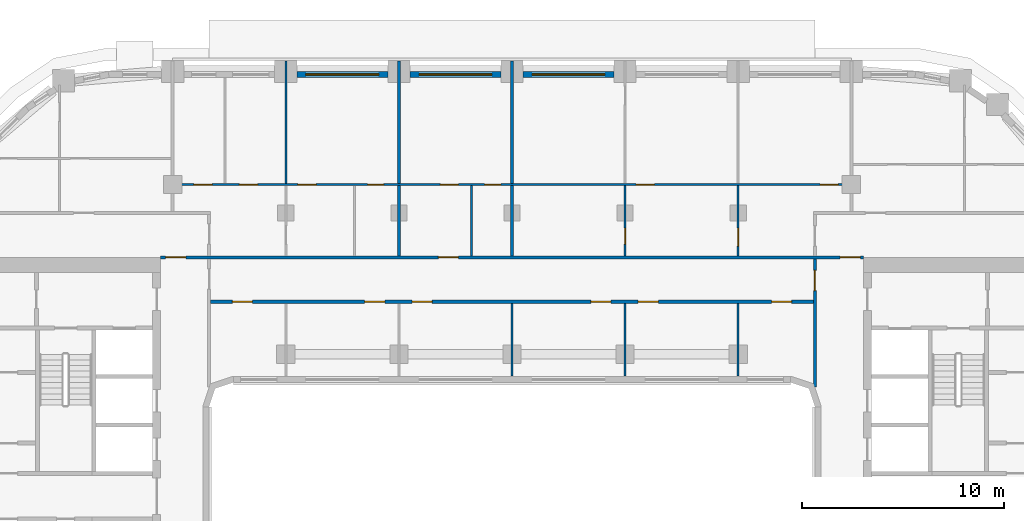
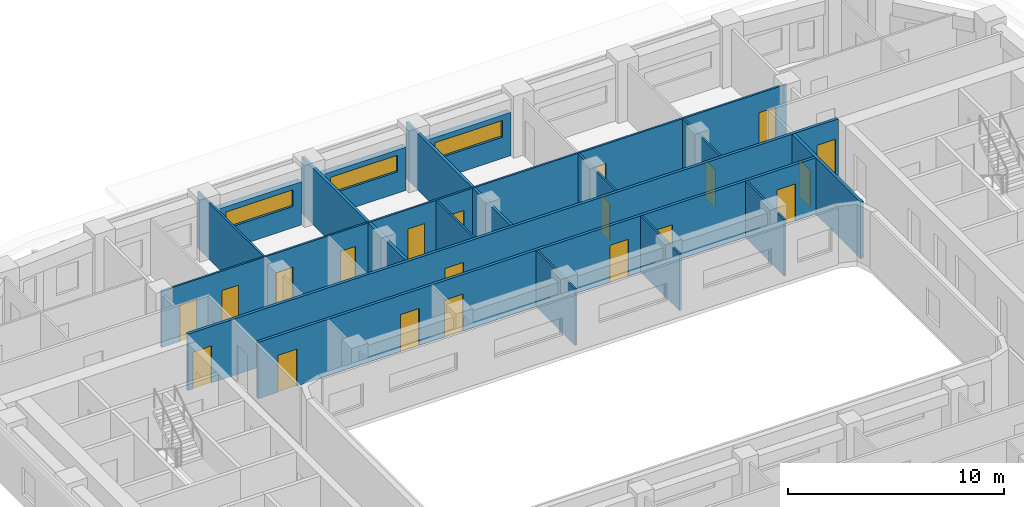
# One storey, part 8 of 22: 20 doors, 18 walls, 3 windows, 23 openings.
"""IFC4 building model written with IfcOpenShell, lengths in metres."""

import ifcopenshell
import ifcopenshell.guid

model = None  # the IFC model being written
_history = None  # IfcOwnerHistory: only IFC2X3 demands one
_inside = {}  # id of a spatial element -> (the spatial element, [elements in it])
_under = {}  # id of a project, library or spatial element -> (it, [spatial elements below it])
_declared = {}  # id of a project -> (the project, [libraries it declares])
_typed = {}  # id of a type object -> (the type object, [elements of that type])
_made_of = {}  # id of a material, layer set ... -> (it, [elements and type objects made of it])


def new_model(schema):
    """Start an empty IFC model of exactly this schema.

    Asked for "IFC4X3", IfcOpenShell would pick the latest addendum, in which some entities
    have other attributes; the version numbers below select the first issue.
    IFC2X3 requires an IfcOwnerHistory on every rooted entity: one is made here for all.
    """
    global model, _history
    if schema == "IFC4X3":
        model = ifcopenshell.file(schema_version=(4, 3, 0, 0))
    else:
        model = ifcopenshell.file(schema=schema)
    _inside.clear()
    _under.clear()
    _declared.clear()
    _typed.clear()
    _made_of.clear()
    _history = None
    if model.schema == "IFC2X3":
        org = make("IfcOrganization", Name="unknown")
        user = make(
            "IfcPersonAndOrganization",
            ThePerson=make("IfcPerson", FamilyName="unknown"),
            TheOrganization=org,
        )
        app = make(
            "IfcApplication",
            ApplicationDeveloper=org,
            Version="unknown",
            ApplicationFullName="unknown",
            ApplicationIdentifier="unknown",
        )
        _history = make(
            "IfcOwnerHistory",
            OwningUser=user,
            OwningApplication=app,
            ChangeAction="ADDED",
            CreationDate=0,
        )
    return model


def make(cls, **values):
    """One entity of the class cls with the attributes given. An attribute that is None is left unset."""
    return model.create_entity(
        cls, **{name: value for name, value in values.items() if value is not None}
    )


def rooted(cls, **values):
    """An entity with a GlobalId (a new one), such as an element, a storey or a relation."""
    return make(cls, GlobalId=ifcopenshell.guid.new(), OwnerHistory=_history, **values)


def si_unit(unit_type, name, prefix=None):
    """IfcSIUnit, for example si_unit("LENGTHUNIT", "METRE", prefix="MILLI")."""
    return make("IfcSIUnit", UnitType=unit_type, Prefix=prefix, Name=name)


def assignment(units):
    """IfcUnitAssignment: the units of a project."""
    return None if units is None else make("IfcUnitAssignment", Units=units)


def point(xyz):
    """IfcCartesianPoint."""
    return None if xyz is None else make("IfcCartesianPoint", Coordinates=xyz)


def direction(xyz):
    """IfcDirection."""
    return None if xyz is None else make("IfcDirection", DirectionRatios=xyz)


def frame(location, z_axis=None, x_axis=None):
    """IfcAxis2Placement3D, a coordinate frame: its origin and axes. An axis left out is left unset."""
    return make(
        "IfcAxis2Placement3D",
        Location=point(location),
        Axis=direction(z_axis),
        RefDirection=direction(x_axis),
    )


def frame_2d(location, x_axis=None):
    """IfcAxis2Placement2D, a coordinate frame in the plane: its origin and x axis."""
    return make(
        "IfcAxis2Placement2D", Location=point(location), RefDirection=direction(x_axis)
    )


def origin():
    """The frame at (0, 0, 0) with its axes left unset."""
    return frame((0.0, 0.0, 0.0))


def place(relative_to, where):
    """IfcLocalPlacement: puts the frame where relative to a parent placement (None: the world)."""
    return make(
        "IfcLocalPlacement", PlacementRelTo=relative_to, RelativePlacement=where
    )


def context(
    kind, dimensions, precision=None, world=None, true_north=None, identifier=None
):
    """IfcGeometricRepresentationContext, for example the 3D "Model" context."""
    return make(
        "IfcGeometricRepresentationContext",
        ContextIdentifier=identifier,
        ContextType=kind,
        CoordinateSpaceDimension=dimensions,
        Precision=precision,
        WorldCoordinateSystem=world,
        TrueNorth=true_north,
    )


def subcontext(parent, identifier, kind, view, scale=None):
    """IfcGeometricRepresentationSubContext, for example "Body" below "Model"."""
    return make(
        "IfcGeometricRepresentationSubContext",
        ContextIdentifier=identifier,
        ContextType=kind,
        ParentContext=parent,
        TargetScale=scale,
        TargetView=view,
    )


def project(units=None, contexts=None):
    """IfcProject with its units and contexts."""
    return rooted(
        "IfcProject",
        Name="project",
        RepresentationContexts=contexts,
        UnitsInContext=assignment(units),
    )


def spatial(cls, under=None, at=None, **own):
    """A site, building, storey or space (cls), placed at a placement, below another one or the project."""
    s = rooted(cls, ObjectPlacement=at, **own)
    if under is not None:
        _under.setdefault(under.id(), (under, []))[1].append(s)
    return s


def profile(cls, at=None, kind="AREA", **sizes):
    """A parametric profile (cls). Its sizes go by their IFC names, for example OverallWidth=200.0."""
    return make(cls, ProfileType=kind, Position=at, **sizes)


def rectangle(**sizes):
    """IfcRectangleProfileDef."""
    return profile("IfcRectangleProfileDef", **sizes)


def extrude(swept, where, along, depth):
    """IfcExtrudedAreaSolid: the profile swept, set in the frame where, extruded along a direction by depth."""
    return make(
        "IfcExtrudedAreaSolid",
        SweptArea=swept,
        Position=where,
        ExtrudedDirection=direction(along),
        Depth=depth,
    )


def shape(context_of_items, identifier, shape_type, items):
    """IfcShapeRepresentation: the items that make up one representation, for example the "Body"."""
    return make(
        "IfcShapeRepresentation",
        ContextOfItems=context_of_items,
        RepresentationIdentifier=identifier,
        RepresentationType=shape_type,
        Items=items,
    )


def material(Name=None, Category=None):
    """IfcMaterial."""
    return make("IfcMaterial", Name=Name, Category=Category)


def layer(
    of_material, thickness, ventilated=None, Name=None, Category=None, Priority=None
):
    """IfcMaterialLayer: one layer of a wall or slab, of a material (None: an air gap)."""
    return make(
        "IfcMaterialLayer",
        Material=of_material,
        LayerThickness=thickness,
        IsVentilated=ventilated,
        Name=Name,
        Category=Category,
        Priority=Priority,
    )


def layer_set(layers, Name=None):
    """IfcMaterialLayerSet."""
    return make("IfcMaterialLayerSet", MaterialLayers=layers, LayerSetName=Name)


def made_of(thing, what):
    """Note that an element or type object is made of a material, layer set ...; save() writes the relation."""
    if what is not None:
        _made_of.setdefault(what.id(), (what, []))[1].append(thing)
    return thing


def type_object(cls, material=None, **own):
    """A type object (cls), such as IfcWallType, which elements share."""
    return made_of(rooted(cls, **own), material)


def element(
    cls,
    number,
    at=None,
    inside=None,
    cuts=None,
    type_object=None,
    material=None,
    context=None,
    identifier="Body",
    shape_type=None,
    held_by="IfcProductDefinitionShape",
    body=None,
    shapes=None,
    **own,
):
    """One element of the class cls, such as IfcWall. Its Tag is "e" and its number.

    at: its placement. inside: the storey or other place that contains it. cuts: it is an
    opening in that element (IfcRelVoidsElement). A single representation is given by context,
    identifier, shape_type and body (its items); several are given by shapes. held_by: the class
    of the entity that holds the representations. save() writes the other relations.
    """
    e = rooted(cls, Tag="e%d" % number, ObjectPlacement=at, **own)
    if body is not None:
        shapes = [shape(context, identifier, shape_type, body)]
    if shapes is not None:
        e.Representation = make(held_by, Representations=shapes)
    if inside is not None:
        _inside.setdefault(inside.id(), (inside, []))[1].append(e)
    if cuts is not None:
        rooted(
            "IfcRelVoidsElement", RelatingBuildingElement=cuts, RelatedOpeningElement=e
        )
    if type_object is not None:
        _typed.setdefault(type_object.id(), (type_object, []))[1].append(e)
    return made_of(e, material)


def fill(opening, filler):
    """IfcRelFillsElement: the door or window that sits in an opening."""
    return rooted(
        "IfcRelFillsElement",
        RelatingOpeningElement=opening,
        RelatedBuildingElement=filler,
    )


def aggregate(whole, parts):
    """IfcRelAggregates: a whole, such as a stair, and the parts it consists of."""
    return rooted("IfcRelAggregates", RelatingObject=whole, RelatedObjects=parts)


def save(model, path):
    """Write the relations noted so far, then the file.

    IfcRelAggregates (storeys below a building ...), IfcRelContainedInSpatialStructure (elements
    in a storey), IfcRelDefinesByType, IfcRelAssociatesMaterial and IfcRelDeclares: one each for
    every whole, place, type object, material and project.
    """
    for whole, parts in _under.values():
        aggregate(whole, parts)
    for where, things in _inside.values():
        rooted(
            "IfcRelContainedInSpatialStructure",
            RelatedElements=things,
            RelatingStructure=where,
        )
    for kind, things in _typed.values():
        rooted("IfcRelDefinesByType", RelatedObjects=things, RelatingType=kind)
    for what, things in _made_of.values():
        rooted("IfcRelAssociatesMaterial", RelatedObjects=things, RelatingMaterial=what)
    for by, libraries in _declared.values():
        rooted("IfcRelDeclares", RelatingContext=by, RelatedDefinitions=libraries)
    model.write(path)


model = new_model("IFC4")

# Units and contexts
model_context = context("Model", 3, precision=1e-05, world=origin(), true_north=direction((0.0, 1.0)))
body_context = subcontext(model_context, "Body", "Model", "MODEL_VIEW")
ifc_project = project(units=[si_unit("LENGTHUNIT", "METRE"), si_unit("AREAUNIT", "SQUARE_METRE"), si_unit("VOLUMEUNIT", "CUBIC_METRE"), si_unit("PLANEANGLEUNIT", "RADIAN"), si_unit("MASSUNIT", "GRAM", prefix="KILO")], contexts=[model_context])

# Site, building, storey
site_placement = place(None, origin())
site = spatial("IfcSite", under=ifc_project, at=site_placement, CompositionType="ELEMENT")
building_placement = place(site_placement, origin())
building = spatial("IfcBuilding", under=site, at=building_placement, Name="Kiln Ring Residences", CompositionType="ELEMENT")
storey_placement = place(building_placement, frame((0.0, 0.0, 150.10009765625)))
storey = spatial("IfcBuildingStorey", under=building, at=storey_placement, Name="L38", CompositionType="ELEMENT", Elevation=150.10009765625)

# Wall, opening, window
ifc_material_1 = material(Name="Brick masonry, dark clay brick", Category="masonry")
ifc_layer_1 = layer(ifc_material_1, 0.300048828125)
ifc_layer_set_1 = layer_set([ifc_layer_1], Name="EW-300 BRICK WALL")
wall_type_1 = type_object("IfcWallType", Name="EW-300 BRICK WALL", PredefinedType="SOLIDWALL", material=ifc_layer_set_1)
wall_1_placement = place(storey_placement, frame((5.050048828125, 22.25, 0.0), z_axis=(0.0, 0.0, 1.0), x_axis=(-1.0, 0.0, 0.0)))
wall_1 = element("IfcWall", 1, at=wall_1_placement, inside=storey, type_object=wall_type_1, Name="Facade wall L38 31", PredefinedType="SOLIDWALL", context=body_context, shape_type="SweptSolid", body=[
    extrude(rectangle(XDim=4.5, YDim=0.300048828125, at=frame_2d((2.25, 0.0))), origin(), (0.0, 0.0, 1.0), 2.449951171875),
])
opening_1_placement = place(wall_1_placement, frame((0.449951171875, 0.0, 1.199951171875)))
opening_1 = element("IfcOpeningElement", 2, at=opening_1_placement, cuts=wall_1, Name="Opening W4", PredefinedType="OPENING", context=body_context, shape_type="SweptSolid", body=[
    extrude(rectangle(XDim=3.60009765625, YDim=0.949951171875, at=frame_2d((1.800048828125, 0.47509765625))), frame((0.0, 0.159912109375, 0.0), z_axis=(0.0, -1.0, 0.0), x_axis=(1.0, 0.0, 0.0)), (0.0, 0.0, 1.0), 0.320068359375),
])
ifc_material_2 = material(Name="Aluminium frame with double glazing", Category="aluminium")
window_type = type_object("IfcWindowType", Name="WINDOW 3600 x 950", PartitioningType="SINGLE_PANEL", PredefinedType="WINDOW", material=ifc_material_2)
window_1_placement = place(opening_1_placement, origin())
window_1 = element("IfcWindow", 3, at=window_1_placement, inside=storey, type_object=window_type, Name="Window L38 19", OverallHeight=0.949951171875, OverallWidth=3.60009765625, PartitioningType="SINGLE_PANEL", PredefinedType="WINDOW", context=body_context, shape_type="SweptSolid", body=[
    extrude(rectangle(XDim=3.60009765625, YDim=0.949951171875, at=frame_2d((1.800048828125, 0.47509765625))), frame((0.0, 0.030029296875, 0.0), z_axis=(0.0, -1.0, 0.0), x_axis=(1.0, 0.0, 0.0)), (0.0, 0.0, 1.0), 0.06005859375),
])
fill(opening_1, window_1)

wall_2_placement = place(storey_placement, frame((-0.550048828125, 22.25, 0.0), z_axis=(0.0, 0.0, 1.0), x_axis=(-1.0, 0.0, 0.0)))
wall_2 = element("IfcWall", 4, at=wall_2_placement, inside=storey, type_object=wall_type_1, Name="Facade wall L38 32", PredefinedType="SOLIDWALL", context=body_context, shape_type="SweptSolid", body=[
    extrude(rectangle(XDim=4.5, YDim=0.300048828125, at=frame_2d((2.25, 0.0))), origin(), (0.0, 0.0, 1.0), 2.449951171875),
])
opening_2_placement = place(wall_2_placement, frame((0.449951171875, 0.0, 1.199951171875)))
opening_2 = element("IfcOpeningElement", 5, at=opening_2_placement, cuts=wall_2, Name="Opening W4", PredefinedType="OPENING", context=body_context, shape_type="SweptSolid", body=[
    extrude(rectangle(XDim=3.60009765625, YDim=0.949951171875, at=frame_2d((1.800048828125, 0.47509765625))), frame((0.0, 0.159912109375, 0.0), z_axis=(0.0, -1.0, 0.0), x_axis=(1.0, 0.0, 0.0)), (0.0, 0.0, 1.0), 0.320068359375),
])
window_2_placement = place(opening_2_placement, origin())
window_2 = element("IfcWindow", 6, at=window_2_placement, inside=storey, type_object=window_type, Name="Window L38 20", OverallHeight=0.949951171875, OverallWidth=3.60009765625, PartitioningType="SINGLE_PANEL", PredefinedType="WINDOW", context=body_context, shape_type="SweptSolid", body=[
    extrude(rectangle(XDim=3.60009765625, YDim=0.949951171875, at=frame_2d((1.800048828125, 0.47509765625))), frame((0.0, 0.030029296875, 0.0), z_axis=(0.0, -1.0, 0.0), x_axis=(1.0, 0.0, 0.0)), (0.0, 0.0, 1.0), 0.06005859375),
])
fill(opening_2, window_2)

wall_3_placement = place(storey_placement, frame((-6.14990234375, 22.25, 0.0), z_axis=(0.0, 0.0, 1.0), x_axis=(-1.0, 0.0, 0.0)))
wall_3 = element("IfcWall", 7, at=wall_3_placement, inside=storey, type_object=wall_type_1, Name="Facade wall L38 33", PredefinedType="SOLIDWALL", context=body_context, shape_type="SweptSolid", body=[
    extrude(rectangle(XDim=4.5, YDim=0.300048828125, at=frame_2d((2.25, 0.0))), origin(), (0.0, 0.0, 1.0), 2.449951171875),
])
opening_3_placement = place(wall_3_placement, frame((0.449951171875, 0.0, 1.199951171875)))
opening_3 = element("IfcOpeningElement", 8, at=opening_3_placement, cuts=wall_3, Name="Opening W4", PredefinedType="OPENING", context=body_context, shape_type="SweptSolid", body=[
    extrude(rectangle(XDim=3.60009765625, YDim=0.949951171875, at=frame_2d((1.800048828125, 0.47509765625))), frame((0.0, 0.159912109375, 0.0), z_axis=(0.0, -1.0, 0.0), x_axis=(1.0, 0.0, 0.0)), (0.0, 0.0, 1.0), 0.320068359375),
])
window_3_placement = place(opening_3_placement, origin())
window_3 = element("IfcWindow", 9, at=window_3_placement, inside=storey, type_object=window_type, Name="Window L38 21", OverallHeight=0.949951171875, OverallWidth=3.60009765625, PartitioningType="SINGLE_PANEL", PredefinedType="WINDOW", context=body_context, shape_type="SweptSolid", body=[
    extrude(rectangle(XDim=3.60009765625, YDim=0.949951171875, at=frame_2d((1.800048828125, 0.47509765625))), frame((0.0, 0.030029296875, 0.0), z_axis=(0.0, -1.0, 0.0), x_axis=(1.0, 0.0, 0.0)), (0.0, 0.0, 1.0), 0.06005859375),
])
fill(opening_3, window_3)

# Wall, openings, doors
ifc_material_3 = material(Name="Gypsum board on steel studs", Category="steel")
ifc_layer_2 = layer(ifc_material_3, 0.10009765625)
ifc_layer_set_2 = layer_set([ifc_layer_2], Name="PARTITION-100")
wall_type_2 = type_object("IfcWallType", Name="PARTITION-100", PredefinedType="PARTITIONING", material=ifc_layer_set_2)
wall_4_placement = place(storey_placement, frame((-16.72509765625, 16.800048828125, 0.0), z_axis=(0.0, 0.0, 1.0), x_axis=(1.0, 0.0, 0.0)))
wall_4 = element("IfcWall", 10, at=wall_4_placement, inside=storey, type_object=wall_type_2, Name="Partition 011", PredefinedType="PARTITIONING", context=body_context, shape_type="SweptSolid", body=[
    extrude(rectangle(XDim=33.4501953125, YDim=0.10009765625, at=frame_2d((16.72509765625, 0.0))), origin(), (0.0, 0.0, 1.0), 3.199951171875),
])
opening_4_placement = place(wall_4_placement, frame((9.574951171875, 0.0, 0.0)))
opening_4 = element("IfcOpeningElement", 11, at=opening_4_placement, cuts=wall_4, Name="Opening L38-D017", PredefinedType="OPENING", context=body_context, shape_type="SweptSolid", body=[
    extrude(rectangle(XDim=0.800048828125, YDim=2.10009765625, at=frame_2d((0.39990234375, 1.050048828125))), frame((0.0, 0.06005859375, 0.0), z_axis=(0.0, -1.0, 0.0), x_axis=(1.0, 0.0, 0.0)), (0.0, 0.0, 1.0), 0.1201171875),
])
opening_5_placement = place(wall_4_placement, frame((6.125, 0.0, 0.0)))
opening_5 = element("IfcOpeningElement", 12, at=opening_5_placement, cuts=wall_4, Name="Opening L38-D018", PredefinedType="OPENING", context=body_context, shape_type="SweptSolid", body=[
    extrude(rectangle(XDim=0.89990234375, YDim=2.10009765625, at=frame_2d((0.449951171875, 1.050048828125))), frame((0.0, 0.06005859375, 0.0), z_axis=(0.0, -1.0, 0.0), x_axis=(1.0, 0.0, 0.0)), (0.0, 0.0, 1.0), 0.1201171875),
])
opening_6_placement = place(wall_4_placement, frame((0.97509765625, 0.0, 0.0)))
opening_6 = element("IfcOpeningElement", 13, at=opening_6_placement, cuts=wall_4, Name="Opening L38-D019", PredefinedType="OPENING", context=body_context, shape_type="SweptSolid", body=[
    extrude(rectangle(XDim=0.89990234375, YDim=2.10009765625, at=frame_2d((0.449951171875, 1.050048828125))), frame((0.0, 0.06005859375, 0.0), z_axis=(0.0, -1.0, 0.0), x_axis=(1.0, 0.0, 0.0)), (0.0, 0.0, 1.0), 0.1201171875),
])
opening_7_placement = place(wall_4_placement, frame((3.22509765625, 0.0, 0.0)))
opening_7 = element("IfcOpeningElement", 14, at=opening_7_placement, cuts=wall_4, Name="Opening L38-D020", PredefinedType="OPENING", context=body_context, shape_type="SweptSolid", body=[
    extrude(rectangle(XDim=0.89990234375, YDim=2.10009765625, at=frame_2d((0.449951171875, 1.050048828125))), frame((0.0, 0.06005859375, 0.0), z_axis=(0.0, -1.0, 0.0), x_axis=(1.0, 0.0, 0.0)), (0.0, 0.0, 1.0), 0.1201171875),
])
opening_8_placement = place(wall_4_placement, frame((15.375, 0.0, 0.0)))
opening_8 = element("IfcOpeningElement", 15, at=opening_8_placement, cuts=wall_4, Name="Opening L38-D022", PredefinedType="OPENING", context=body_context, shape_type="SweptSolid", body=[
    extrude(rectangle(XDim=0.800048828125, YDim=2.10009765625, at=frame_2d((0.39990234375, 1.050048828125))), frame((0.0, 0.06005859375, 0.0), z_axis=(0.0, -1.0, 0.0), x_axis=(1.0, 0.0, 0.0)), (0.0, 0.0, 1.0), 0.1201171875),
])
opening_9_placement = place(wall_4_placement, frame((13.175048828125, 0.0, 0.0)))
opening_9 = element("IfcOpeningElement", 16, at=opening_9_placement, cuts=wall_4, Name="Opening L38-D023", PredefinedType="OPENING", context=body_context, shape_type="SweptSolid", body=[
    extrude(rectangle(XDim=0.89990234375, YDim=2.10009765625, at=frame_2d((0.449951171875, 1.050048828125))), frame((0.0, 0.06005859375, 0.0), z_axis=(0.0, -1.0, 0.0), x_axis=(1.0, 0.0, 0.0)), (0.0, 0.0, 1.0), 0.1201171875),
])
opening_10_placement = place(wall_4_placement, frame((31.97509765625, 0.0, 0.0)))
opening_10 = element("IfcOpeningElement", 17, at=opening_10_placement, cuts=wall_4, Name="Opening L38-D027", PredefinedType="OPENING", context=body_context, shape_type="SweptSolid", body=[
    extrude(rectangle(XDim=0.89990234375, YDim=2.10009765625, at=frame_2d((0.449951171875, 1.050048828125))), frame((0.0, 0.06005859375, 0.0), z_axis=(0.0, -1.0, 0.0), x_axis=(1.0, 0.0, 0.0)), (0.0, 0.0, 1.0), 0.1201171875),
])
opening_11_placement = place(wall_4_placement, frame((22.875, 0.0, 0.0)))
opening_11 = element("IfcOpeningElement", 18, at=opening_11_placement, cuts=wall_4, Name="Opening L38-D028", PredefinedType="OPENING", context=body_context, shape_type="SweptSolid", body=[
    extrude(rectangle(XDim=0.89990234375, YDim=2.10009765625, at=frame_2d((0.449951171875, 1.050048828125))), frame((0.0, 0.06005859375, 0.0), z_axis=(0.0, -1.0, 0.0), x_axis=(1.0, 0.0, 0.0)), (0.0, 0.0, 1.0), 0.1201171875),
])
ifc_material_4 = material(Name="Timber door leaf", Category="wood")
door_type_1 = type_object("IfcDoorType", Name="FLAT-DOOR-800-PL", OperationType="SINGLE_SWING_LEFT", PredefinedType="DOOR", material=ifc_material_4)
door_1_placement = place(opening_4_placement, origin())
door_1 = element("IfcDoor", 19, at=door_1_placement, inside=storey, type_object=door_type_1, Name="Door L38-D017", OperationType="SINGLE_SWING_LEFT", OverallHeight=2.10009765625, OverallWidth=0.800048828125, PredefinedType="DOOR", context=body_context, shape_type="SweptSolid", body=[
    extrude(rectangle(XDim=0.800048828125, YDim=2.10009765625, at=frame_2d((0.39990234375, 1.050048828125))), frame((0.0, 0.02490234375, 0.0), z_axis=(0.0, -1.0, 0.0), x_axis=(1.0, 0.0, 0.0)), (0.0, 0.0, 1.0), 0.050048828125),
])
fill(opening_4, door_1)
door_2_placement = place(opening_8_placement, origin())
door_2 = element("IfcDoor", 20, at=door_2_placement, inside=storey, type_object=door_type_1, Name="Door L38-D022", OperationType="SINGLE_SWING_RIGHT", OverallHeight=2.10009765625, OverallWidth=0.800048828125, PredefinedType="DOOR", context=body_context, shape_type="SweptSolid", body=[
    extrude(rectangle(XDim=0.800048828125, YDim=2.10009765625, at=frame_2d((0.39990234375, 1.050048828125))), frame((0.0, 0.02490234375, 0.0), z_axis=(0.0, -1.0, 0.0), x_axis=(1.0, 0.0, 0.0)), (0.0, 0.0, 1.0), 0.050048828125),
])
fill(opening_8, door_2)
ifc_material_5 = material(Name="Timber door leaf", Category="wood")
door_type_2 = type_object("IfcDoorType", Name="FLAT-DOOR-900-PL", OperationType="SINGLE_SWING_LEFT", PredefinedType="DOOR", material=ifc_material_5)
door_3_placement = place(opening_5_placement, origin())
door_3 = element("IfcDoor", 21, at=door_3_placement, inside=storey, type_object=door_type_2, Name="Door L38-D018", OperationType="SINGLE_SWING_RIGHT", OverallHeight=2.10009765625, OverallWidth=0.89990234375, PredefinedType="DOOR", context=body_context, shape_type="SweptSolid", body=[
    extrude(rectangle(XDim=0.89990234375, YDim=2.10009765625, at=frame_2d((0.449951171875, 1.050048828125))), frame((0.0, 0.02490234375, 0.0), z_axis=(0.0, -1.0, 0.0), x_axis=(1.0, 0.0, 0.0)), (0.0, 0.0, 1.0), 0.050048828125),
])
fill(opening_5, door_3)
door_4_placement = place(opening_6_placement, origin())
door_4 = element("IfcDoor", 22, at=door_4_placement, inside=storey, type_object=door_type_2, Name="Door L38-D019", OperationType="SINGLE_SWING_LEFT", OverallHeight=2.10009765625, OverallWidth=0.89990234375, PredefinedType="DOOR", context=body_context, shape_type="SweptSolid", body=[
    extrude(rectangle(XDim=0.89990234375, YDim=2.10009765625, at=frame_2d((0.449951171875, 1.050048828125))), frame((0.0, 0.02490234375, 0.0), z_axis=(0.0, -1.0, 0.0), x_axis=(1.0, 0.0, 0.0)), (0.0, 0.0, 1.0), 0.050048828125),
])
fill(opening_6, door_4)
door_5_placement = place(opening_7_placement, origin())
door_5 = element("IfcDoor", 23, at=door_5_placement, inside=storey, type_object=door_type_2, Name="Door L38-D020", OperationType="SINGLE_SWING_RIGHT", OverallHeight=2.10009765625, OverallWidth=0.89990234375, PredefinedType="DOOR", context=body_context, shape_type="SweptSolid", body=[
    extrude(rectangle(XDim=0.89990234375, YDim=2.10009765625, at=frame_2d((0.449951171875, 1.050048828125))), frame((0.0, 0.02490234375, 0.0), z_axis=(0.0, -1.0, 0.0), x_axis=(1.0, 0.0, 0.0)), (0.0, 0.0, 1.0), 0.050048828125),
])
fill(opening_7, door_5)
door_6_placement = place(opening_9_placement, origin())
door_6 = element("IfcDoor", 24, at=door_6_placement, inside=storey, type_object=door_type_2, Name="Door L38-D023", OperationType="SINGLE_SWING_LEFT", OverallHeight=2.10009765625, OverallWidth=0.89990234375, PredefinedType="DOOR", context=body_context, shape_type="SweptSolid", body=[
    extrude(rectangle(XDim=0.89990234375, YDim=2.10009765625, at=frame_2d((0.449951171875, 1.050048828125))), frame((0.0, 0.02490234375, 0.0), z_axis=(0.0, -1.0, 0.0), x_axis=(1.0, 0.0, 0.0)), (0.0, 0.0, 1.0), 0.050048828125),
])
fill(opening_9, door_6)
door_7_placement = place(opening_10_placement, origin())
door_7 = element("IfcDoor", 25, at=door_7_placement, inside=storey, type_object=door_type_2, Name="Door L38-D027", OperationType="SINGLE_SWING_LEFT", OverallHeight=2.10009765625, OverallWidth=0.89990234375, PredefinedType="DOOR", context=body_context, shape_type="SweptSolid", body=[
    extrude(rectangle(XDim=0.89990234375, YDim=2.10009765625, at=frame_2d((0.449951171875, 1.050048828125))), frame((0.0, 0.02490234375, 0.0), z_axis=(0.0, -1.0, 0.0), x_axis=(1.0, 0.0, 0.0)), (0.0, 0.0, 1.0), 0.050048828125),
])
fill(opening_10, door_7)
door_8_placement = place(opening_11_placement, origin())
door_8 = element("IfcDoor", 26, at=door_8_placement, inside=storey, type_object=door_type_2, Name="Door L38-D028", OperationType="SINGLE_SWING_RIGHT", OverallHeight=2.10009765625, OverallWidth=0.89990234375, PredefinedType="DOOR", context=body_context, shape_type="SweptSolid", body=[
    extrude(rectangle(XDim=0.89990234375, YDim=2.10009765625, at=frame_2d((0.449951171875, 1.050048828125))), frame((0.0, 0.02490234375, 0.0), z_axis=(0.0, -1.0, 0.0), x_axis=(1.0, 0.0, 0.0)), (0.0, 0.0, 1.0), 0.050048828125),
])
fill(opening_11, door_8)

# Walls
wall_5_placement = place(storey_placement, frame((-11.199951171875, 16.85009765625, 0.0), z_axis=(0.0, 0.0, 1.0), x_axis=(0.0, 1.0, 0.0)))
element("IfcWall", 27, at=wall_5_placement, inside=storey, type_object=wall_type_2, Name="Partition 030", PredefinedType="PARTITIONING", context=body_context, shape_type="SweptSolid", body=[
    extrude(rectangle(XDim=6.079833984375, YDim=0.10009765625, at=frame_2d((3.0400390625, 0.0))), origin(), (0.0, 0.0, 1.0), 3.199951171875),
])
wall_6_placement = place(storey_placement, frame((-2.0, 13.27490234375, 0.0), z_axis=(0.0, 0.0, 1.0), x_axis=(0.0, 1.0, 0.0)))
element("IfcWall", 28, at=wall_6_placement, inside=storey, type_object=wall_type_2, Name="Partition 038", PredefinedType="PARTITIONING", context=body_context, shape_type="SweptSolid", body=[
    extrude(rectangle(XDim=3.47509765625, YDim=0.10009765625, at=frame_2d((1.737548828125, 0.0))), origin(), (0.0, 0.0, 1.0), 3.199951171875),
])
for number, where, z_axis, x_axis, name in (
    (29, (0.0, 7.320068359375, 0.0), (0.0, 0.0, 1.0), (0.0, 1.0, 0.0), "Partition 042"),
    (30, (5.60009765625, 7.320068359375, 0.0), (0.0, 0.0, 1.0), (0.0, 1.0, 0.0), "Partition 046"),
):
    element("IfcWall", number, at=place(storey_placement, frame(where, z_axis=z_axis, x_axis=x_axis)), inside=storey, type_object=wall_type_2, Name=name, PredefinedType="PARTITIONING", context=body_context, shape_type="SweptSolid", body=[
        extrude(rectangle(XDim=3.60498046875, YDim=0.10009765625, at=frame_2d((1.802490234375, 0.0))), origin(), (0.0, 0.0, 1.0), 3.199951171875),
    ])

# Wall, opening, door
wall_7_placement = place(storey_placement, frame((5.60009765625, 13.27490234375, 0.0), z_axis=(0.0, 0.0, 1.0), x_axis=(0.0, 1.0, 0.0)))
wall_7 = element("IfcWall", 31, at=wall_7_placement, inside=storey, type_object=wall_type_2, Name="Partition 047", PredefinedType="PARTITIONING", context=body_context, shape_type="SweptSolid", body=[
    extrude(rectangle(XDim=3.47509765625, YDim=0.10009765625, at=frame_2d((1.737548828125, 0.0))), origin(), (0.0, 0.0, 1.0), 3.199951171875),
])
opening_12_placement = place(wall_7_placement, frame((0.574951171875, 0.0, 0.0)))
opening_12 = element("IfcOpeningElement", 32, at=opening_12_placement, cuts=wall_7, Name="Opening L38-D026", PredefinedType="OPENING", context=body_context, shape_type="SweptSolid", body=[
    extrude(rectangle(XDim=0.800048828125, YDim=2.10009765625, at=frame_2d((0.39990234375, 1.050048828125))), frame((0.0, 0.06005859375, 0.0), z_axis=(0.0, -1.0, 0.0), x_axis=(1.0, 0.0, 0.0)), (0.0, 0.0, 1.0), 0.1201171875),
])
door_9_placement = place(opening_12_placement, origin())
door_9 = element("IfcDoor", 33, at=door_9_placement, inside=storey, type_object=door_type_1, Name="Door L38-D026", OperationType="SINGLE_SWING_RIGHT", OverallHeight=2.10009765625, OverallWidth=0.800048828125, PredefinedType="DOOR", context=body_context, shape_type="SweptSolid", body=[
    extrude(rectangle(XDim=0.800048828125, YDim=2.10009765625, at=frame_2d((0.39990234375, 1.050048828125))), frame((0.0, 0.02490234375, 0.0), z_axis=(0.0, -1.0, 0.0), x_axis=(1.0, 0.0, 0.0)), (0.0, 0.0, 1.0), 0.050048828125),
])
fill(opening_12, door_9)

# Wall
wall_8_placement = place(storey_placement, frame((11.199951171875, 7.320068359375, 0.0), z_axis=(0.0, 0.0, 1.0), x_axis=(0.0, 1.0, 0.0)))
element("IfcWall", 34, at=wall_8_placement, inside=storey, type_object=wall_type_2, Name="Partition 054", PredefinedType="PARTITIONING", context=body_context, shape_type="SweptSolid", body=[
    extrude(rectangle(XDim=3.60498046875, YDim=0.10009765625, at=frame_2d((1.802490234375, 0.0))), origin(), (0.0, 0.0, 1.0), 3.199951171875),
])

# Wall, opening, door
wall_9_placement = place(storey_placement, frame((11.199951171875, 13.27490234375, 0.0), z_axis=(0.0, 0.0, 1.0), x_axis=(0.0, 1.0, 0.0)))
wall_9 = element("IfcWall", 35, at=wall_9_placement, inside=storey, type_object=wall_type_2, Name="Partition 055", PredefinedType="PARTITIONING", context=body_context, shape_type="SweptSolid", body=[
    extrude(rectangle(XDim=3.47509765625, YDim=0.10009765625, at=frame_2d((1.737548828125, 0.0))), origin(), (0.0, 0.0, 1.0), 3.199951171875),
])
opening_13_placement = place(wall_9_placement, frame((0.47509765625, 0.0, 0.0)))
opening_13 = element("IfcOpeningElement", 36, at=opening_13_placement, cuts=wall_9, Name="Opening L38-D025", PredefinedType="OPENING", context=body_context, shape_type="SweptSolid", body=[
    extrude(rectangle(XDim=0.89990234375, YDim=2.10009765625, at=frame_2d((0.449951171875, 1.050048828125))), frame((0.0, 0.06005859375, 0.0), z_axis=(0.0, -1.0, 0.0), x_axis=(1.0, 0.0, 0.0)), (0.0, 0.0, 1.0), 0.1201171875),
])
door_10_placement = place(opening_13_placement, origin())
door_10 = element("IfcDoor", 37, at=door_10_placement, inside=storey, type_object=door_type_2, Name="Door L38-D025", OperationType="SINGLE_SWING_RIGHT", OverallHeight=2.10009765625, OverallWidth=0.89990234375, PredefinedType="DOOR", context=body_context, shape_type="SweptSolid", body=[
    extrude(rectangle(XDim=0.89990234375, YDim=2.10009765625, at=frame_2d((0.449951171875, 1.050048828125))), frame((0.0, 0.02490234375, 0.0), z_axis=(0.0, -1.0, 0.0), x_axis=(1.0, 0.0, 0.0)), (0.0, 0.0, 1.0), 0.050048828125),
])
fill(opening_13, door_10)

# Wall, openings, doors
ifc_material_6 = material(Name="Brick masonry partition", Category="masonry")
ifc_layer_3 = layer(ifc_material_6, 0.14990234375)
ifc_layer_set_3 = layer_set([ifc_layer_3], Name="PARTITION-150-ei60")
wall_type_3 = type_object("IfcWallType", Name="PARTITION-150-ei60", PredefinedType="PARTITIONING", material=ifc_layer_set_3)
wall_10_placement = place(storey_placement, frame((-14.925048828125, 11.0, 0.0), z_axis=(0.0, 0.0, 1.0), x_axis=(1.0, 0.0, 0.0)))
wall_10 = element("IfcWall", 38, at=wall_10_placement, inside=storey, type_object=wall_type_3, Name="Partition 007", PredefinedType="PARTITIONING", context=body_context, shape_type="SweptSolid", body=[
    extrude(rectangle(XDim=29.85009765625, YDim=0.14990234375, at=frame_2d((14.925048828125, 0.0))), origin(), (0.0, 0.0, 1.0), 3.199951171875),
])
opening_14_placement = place(wall_10_placement, frame((1.075927734375, 0.0, 0.0)))
opening_14 = element("IfcOpeningElement", 39, at=opening_14_placement, cuts=wall_10, Name="Opening L38-D009", PredefinedType="OPENING", context=body_context, shape_type="SweptSolid", body=[
    extrude(rectangle(XDim=1.0, YDim=2.10009765625, at=frame_2d((0.5, 1.050048828125))), frame((0.0, 0.0849609375, 0.0), z_axis=(0.0, -1.0, 0.0), x_axis=(1.0, 0.0, 0.0)), (0.0, 0.0, 1.0), 0.169921875),
])
opening_15_placement = place(wall_10_placement, frame((7.625, 0.0, 0.0)))
opening_15 = element("IfcOpeningElement", 40, at=opening_15_placement, cuts=wall_10, Name="Opening L38-D010", PredefinedType="OPENING", context=body_context, shape_type="SweptSolid", body=[
    extrude(rectangle(XDim=1.0, YDim=2.10009765625, at=frame_2d((0.5, 1.050048828125))), frame((0.0, 0.0849609375, 0.0), z_axis=(0.0, -1.0, 0.0), x_axis=(1.0, 0.0, 0.0)), (0.0, 0.0, 1.0), 0.169921875),
])
opening_16_placement = place(wall_10_placement, frame((9.97509765625, 0.0, 0.0)))
opening_16 = element("IfcOpeningElement", 41, at=opening_16_placement, cuts=wall_10, Name="Opening L38-D011", PredefinedType="OPENING", context=body_context, shape_type="SweptSolid", body=[
    extrude(rectangle(XDim=1.0, YDim=2.10009765625, at=frame_2d((0.5, 1.050048828125))), frame((0.0, 0.0849609375, 0.0), z_axis=(0.0, -1.0, 0.0), x_axis=(1.0, 0.0, 0.0)), (0.0, 0.0, 1.0), 0.169921875),
])
opening_17_placement = place(wall_10_placement, frame((18.824951171875, 0.0, 0.0)))
opening_17 = element("IfcOpeningElement", 42, at=opening_17_placement, cuts=wall_10, Name="Opening L38-D012", PredefinedType="OPENING", context=body_context, shape_type="SweptSolid", body=[
    extrude(rectangle(XDim=1.0, YDim=2.10009765625, at=frame_2d((0.5, 1.050048828125))), frame((0.0, 0.0849609375, 0.0), z_axis=(0.0, -1.0, 0.0), x_axis=(1.0, 0.0, 0.0)), (0.0, 0.0, 1.0), 0.169921875),
])
opening_18_placement = place(wall_10_placement, frame((21.175048828125, 0.0, 0.0)))
opening_18 = element("IfcOpeningElement", 43, at=opening_18_placement, cuts=wall_10, Name="Opening L38-D013", PredefinedType="OPENING", context=body_context, shape_type="SweptSolid", body=[
    extrude(rectangle(XDim=1.0, YDim=2.10009765625, at=frame_2d((0.5, 1.050048828125))), frame((0.0, 0.0849609375, 0.0), z_axis=(0.0, -1.0, 0.0), x_axis=(1.0, 0.0, 0.0)), (0.0, 0.0, 1.0), 0.169921875),
])
opening_19_placement = place(wall_10_placement, frame((27.77490234375, 0.0, 0.0)))
opening_19 = element("IfcOpeningElement", 44, at=opening_19_placement, cuts=wall_10, Name="Opening L38-D014", PredefinedType="OPENING", context=body_context, shape_type="SweptSolid", body=[
    extrude(rectangle(XDim=1.0, YDim=2.10009765625, at=frame_2d((0.5, 1.050048828125))), frame((0.0, 0.0849609375, 0.0), z_axis=(0.0, -1.0, 0.0), x_axis=(1.0, 0.0, 0.0)), (0.0, 0.0, 1.0), 0.169921875),
])
ifc_material_7 = material(Name="Steel faced fire door leaf", Category="steel")
door_type_3 = type_object("IfcDoorType", Name="FLAT-DOOR-1000-FR", OperationType="SINGLE_SWING_LEFT", PredefinedType="DOOR", material=ifc_material_7)
door_11_placement = place(opening_14_placement, origin())
door_11 = element("IfcDoor", 45, at=door_11_placement, inside=storey, type_object=door_type_3, Name="Door L38-D009", OperationType="SINGLE_SWING_LEFT", OverallHeight=2.10009765625, OverallWidth=1.0, PredefinedType="DOOR", context=body_context, shape_type="SweptSolid", body=[
    extrude(rectangle(XDim=1.0, YDim=2.10009765625, at=frame_2d((0.5, 1.050048828125))), frame((0.0, 0.02490234375, 0.0), z_axis=(0.0, -1.0, 0.0), x_axis=(1.0, 0.0, 0.0)), (0.0, 0.0, 1.0), 0.050048828125),
])
fill(opening_14, door_11)
door_12_placement = place(opening_15_placement, origin())
door_12 = element("IfcDoor", 46, at=door_12_placement, inside=storey, type_object=door_type_3, Name="Door L38-D010", OperationType="SINGLE_SWING_RIGHT", OverallHeight=2.10009765625, OverallWidth=1.0, PredefinedType="DOOR", context=body_context, shape_type="SweptSolid", body=[
    extrude(rectangle(XDim=1.0, YDim=2.10009765625, at=frame_2d((0.5, 1.050048828125))), frame((0.0, 0.02490234375, 0.0), z_axis=(0.0, -1.0, 0.0), x_axis=(1.0, 0.0, 0.0)), (0.0, 0.0, 1.0), 0.050048828125),
])
fill(opening_15, door_12)
door_13_placement = place(opening_16_placement, origin())
door_13 = element("IfcDoor", 47, at=door_13_placement, inside=storey, type_object=door_type_3, Name="Door L38-D011", OperationType="SINGLE_SWING_LEFT", OverallHeight=2.10009765625, OverallWidth=1.0, PredefinedType="DOOR", context=body_context, shape_type="SweptSolid", body=[
    extrude(rectangle(XDim=1.0, YDim=2.10009765625, at=frame_2d((0.5, 1.050048828125))), frame((0.0, 0.02490234375, 0.0), z_axis=(0.0, -1.0, 0.0), x_axis=(1.0, 0.0, 0.0)), (0.0, 0.0, 1.0), 0.050048828125),
])
fill(opening_16, door_13)
door_14_placement = place(opening_17_placement, origin())
door_14 = element("IfcDoor", 48, at=door_14_placement, inside=storey, type_object=door_type_3, Name="Door L38-D012", OperationType="SINGLE_SWING_RIGHT", OverallHeight=2.10009765625, OverallWidth=1.0, PredefinedType="DOOR", context=body_context, shape_type="SweptSolid", body=[
    extrude(rectangle(XDim=1.0, YDim=2.10009765625, at=frame_2d((0.5, 1.050048828125))), frame((0.0, 0.02490234375, 0.0), z_axis=(0.0, -1.0, 0.0), x_axis=(1.0, 0.0, 0.0)), (0.0, 0.0, 1.0), 0.050048828125),
])
fill(opening_17, door_14)
door_15_placement = place(opening_18_placement, origin())
door_15 = element("IfcDoor", 49, at=door_15_placement, inside=storey, type_object=door_type_3, Name="Door L38-D013", OperationType="SINGLE_SWING_LEFT", OverallHeight=2.10009765625, OverallWidth=1.0, PredefinedType="DOOR", context=body_context, shape_type="SweptSolid", body=[
    extrude(rectangle(XDim=1.0, YDim=2.10009765625, at=frame_2d((0.5, 1.050048828125))), frame((0.0, 0.02490234375, 0.0), z_axis=(0.0, -1.0, 0.0), x_axis=(1.0, 0.0, 0.0)), (0.0, 0.0, 1.0), 0.050048828125),
])
fill(opening_18, door_15)
door_16_placement = place(opening_19_placement, origin())
door_16 = element("IfcDoor", 50, at=door_16_placement, inside=storey, type_object=door_type_3, Name="Door L38-D014", OperationType="SINGLE_SWING_RIGHT", OverallHeight=2.10009765625, OverallWidth=1.0, PredefinedType="DOOR", context=body_context, shape_type="SweptSolid", body=[
    extrude(rectangle(XDim=1.0, YDim=2.10009765625, at=frame_2d((0.5, 1.050048828125))), frame((0.0, 0.02490234375, 0.0), z_axis=(0.0, -1.0, 0.0), x_axis=(1.0, 0.0, 0.0)), (0.0, 0.0, 1.0), 0.050048828125),
])
fill(opening_19, door_16)

wall_11_placement = place(storey_placement, frame((-17.39990234375, 13.199951171875, 0.0), z_axis=(0.0, 0.0, 1.0), x_axis=(1.0, 0.0, 0.0)))
wall_11 = element("IfcWall", 51, at=wall_11_placement, inside=storey, type_object=wall_type_3, Name="Partition 008", PredefinedType="PARTITIONING", context=body_context, shape_type="SweptSolid", body=[
    extrude(rectangle(XDim=34.7998046875, YDim=0.14990234375, at=frame_2d((17.39990234375, 0.0))), origin(), (0.0, 0.0, 1.0), 3.199951171875),
])
opening_20_placement = place(wall_11_placement, frame((0.25, 0.0, 0.0)))
opening_20 = element("IfcOpeningElement", 52, at=opening_20_placement, cuts=wall_11, Name="Opening L38-D003", PredefinedType="OPENING", context=body_context, shape_type="SweptSolid", body=[
    extrude(rectangle(XDim=1.0, YDim=2.10009765625, at=frame_2d((0.5, 1.050048828125))), frame((0.0, 0.0849609375, 0.0), z_axis=(0.0, -1.0, 0.0), x_axis=(1.0, 0.0, 0.0)), (0.0, 0.0, 1.0), 0.169921875),
])
opening_21_placement = place(wall_11_placement, frame((33.64990234375, 0.0, 0.0)))
opening_21 = element("IfcOpeningElement", 53, at=opening_21_placement, cuts=wall_11, Name="Opening L38-D004", PredefinedType="OPENING", context=body_context, shape_type="SweptSolid", body=[
    extrude(rectangle(XDim=1.0, YDim=2.10009765625, at=frame_2d((0.5, 1.050048828125))), frame((0.0, 0.0849609375, 0.0), z_axis=(0.0, -1.0, 0.0), x_axis=(1.0, 0.0, 0.0)), (0.0, 0.0, 1.0), 0.169921875),
])
opening_22_placement = place(wall_11_placement, frame((13.75, 0.0, 0.0)))
opening_22 = element("IfcOpeningElement", 54, at=opening_22_placement, cuts=wall_11, Name="Opening L38-D021", PredefinedType="OPENING", context=body_context, shape_type="SweptSolid", body=[
    extrude(rectangle(XDim=1.0, YDim=2.10009765625, at=frame_2d((0.5, 1.050048828125))), frame((0.0, 0.0849609375, 0.0), z_axis=(0.0, -1.0, 0.0), x_axis=(1.0, 0.0, 0.0)), (0.0, 0.0, 1.0), 0.169921875),
])
door_17_placement = place(opening_20_placement, origin())
door_17 = element("IfcDoor", 55, at=door_17_placement, inside=storey, type_object=door_type_3, Name="Door L38-D003", OperationType="SINGLE_SWING_LEFT", OverallHeight=2.10009765625, OverallWidth=1.0, PredefinedType="DOOR", context=body_context, shape_type="SweptSolid", body=[
    extrude(rectangle(XDim=1.0, YDim=2.10009765625, at=frame_2d((0.5, 1.050048828125))), frame((0.0, 0.02490234375, 0.0), z_axis=(0.0, -1.0, 0.0), x_axis=(1.0, 0.0, 0.0)), (0.0, 0.0, 1.0), 0.050048828125),
])
fill(opening_20, door_17)
door_18_placement = place(opening_21_placement, origin())
door_18 = element("IfcDoor", 56, at=door_18_placement, inside=storey, type_object=door_type_3, Name="Door L38-D004", OperationType="SINGLE_SWING_RIGHT", OverallHeight=2.10009765625, OverallWidth=1.0, PredefinedType="DOOR", context=body_context, shape_type="SweptSolid", body=[
    extrude(rectangle(XDim=1.0, YDim=2.10009765625, at=frame_2d((0.5, 1.050048828125))), frame((0.0, 0.02490234375, 0.0), z_axis=(0.0, -1.0, 0.0), x_axis=(1.0, 0.0, 0.0)), (0.0, 0.0, 1.0), 0.050048828125),
])
fill(opening_21, door_18)
door_19_placement = place(opening_22_placement, origin())
door_19 = element("IfcDoor", 57, at=door_19_placement, inside=storey, type_object=door_type_3, Name="Door L38-D021", OperationType="SINGLE_SWING_LEFT", OverallHeight=2.10009765625, OverallWidth=1.0, PredefinedType="DOOR", context=body_context, shape_type="SweptSolid", body=[
    extrude(rectangle(XDim=1.0, YDim=2.10009765625, at=frame_2d((0.5, 1.050048828125))), frame((0.0, 0.02490234375, 0.0), z_axis=(0.0, -1.0, 0.0), x_axis=(1.0, 0.0, 0.0)), (0.0, 0.0, 1.0), 0.050048828125),
])
fill(opening_22, door_19)

# Walls
wall_12_placement = place(storey_placement, frame((-5.60009765625, 13.27490234375, 0.0), z_axis=(0.0, 0.0, 1.0), x_axis=(0.0, 1.0, 0.0)))
element("IfcWall", 58, at=wall_12_placement, inside=storey, type_object=wall_type_3, Name="Partition 036", PredefinedType="PARTITIONING", context=body_context, shape_type="SweptSolid", body=[
    extrude(rectangle(XDim=3.47509765625, YDim=0.14990234375, at=frame_2d((1.737548828125, 0.0))), origin(), (0.0, 0.0, 1.0), 3.199951171875),
])
wall_13_placement = place(storey_placement, frame((-5.60009765625, 16.85009765625, 0.0), z_axis=(0.0, 0.0, 1.0), x_axis=(0.0, 1.0, 0.0)))
element("IfcWall", 59, at=wall_13_placement, inside=storey, type_object=wall_type_3, Name="Partition 037", PredefinedType="PARTITIONING", context=body_context, shape_type="SweptSolid", body=[
    extrude(rectangle(XDim=6.079833984375, YDim=0.14990234375, at=frame_2d((3.0400390625, 0.0))), origin(), (0.0, 0.0, 1.0), 3.199951171875),
])
wall_14_placement = place(storey_placement, frame((0.0, 13.27490234375, 0.0), z_axis=(0.0, 0.0, 1.0), x_axis=(0.0, 1.0, 0.0)))
element("IfcWall", 60, at=wall_14_placement, inside=storey, type_object=wall_type_3, Name="Partition 043", PredefinedType="PARTITIONING", context=body_context, shape_type="SweptSolid", body=[
    extrude(rectangle(XDim=3.47509765625, YDim=0.14990234375, at=frame_2d((1.737548828125, 0.0))), origin(), (0.0, 0.0, 1.0), 3.199951171875),
])
wall_15_placement = place(storey_placement, frame((0.0, 16.85009765625, 0.0), z_axis=(0.0, 0.0, 1.0), x_axis=(0.0, 1.0, 0.0)))
element("IfcWall", 61, at=wall_15_placement, inside=storey, type_object=wall_type_3, Name="Partition 044", PredefinedType="PARTITIONING", context=body_context, shape_type="SweptSolid", body=[
    extrude(rectangle(XDim=6.079833984375, YDim=0.14990234375, at=frame_2d((3.0400390625, 0.0))), origin(), (0.0, 0.0, 1.0), 3.199951171875),
])

# Wall, opening, door
wall_16_placement = place(storey_placement, frame((15.0, 6.768798828125, 0.0), z_axis=(0.0, 0.0, 1.0), x_axis=(0.0, 1.0, 0.0)))
wall_16 = element("IfcWall", 62, at=wall_16_placement, inside=storey, type_object=wall_type_3, Name="Partition 059", PredefinedType="PARTITIONING", context=body_context, shape_type="SweptSolid", body=[
    extrude(rectangle(XDim=6.356201171875, YDim=0.14990234375, at=frame_2d((3.17822265625, 0.0))), origin(), (0.0, 0.0, 1.0), 3.199951171875),
])
opening_23_placement = place(wall_16_placement, frame((4.78125, 0.0, 0.0)))
opening_23 = element("IfcOpeningElement", 63, at=opening_23_placement, cuts=wall_16, Name="Opening L38-D002", PredefinedType="OPENING", context=body_context, shape_type="SweptSolid", body=[
    extrude(rectangle(XDim=1.0, YDim=2.10009765625, at=frame_2d((0.5, 1.050048828125))), frame((0.0, 0.0849609375, 0.0), z_axis=(0.0, -1.0, 0.0), x_axis=(1.0, 0.0, 0.0)), (0.0, 0.0, 1.0), 0.169921875),
])
door_20_placement = place(opening_23_placement, origin())
door_20 = element("IfcDoor", 64, at=door_20_placement, inside=storey, type_object=door_type_3, Name="Door L38-D002", OperationType="SINGLE_SWING_LEFT", OverallHeight=2.10009765625, OverallWidth=1.0, PredefinedType="DOOR", context=body_context, shape_type="SweptSolid", body=[
    extrude(rectangle(XDim=1.0, YDim=2.10009765625, at=frame_2d((0.5, 1.050048828125))), frame((0.0, 0.02490234375, 0.0), z_axis=(0.0, -1.0, 0.0), x_axis=(1.0, 0.0, 0.0)), (0.0, 0.0, 1.0), 0.050048828125),
])
fill(opening_23, door_20)

save(model, "model.ifc")
